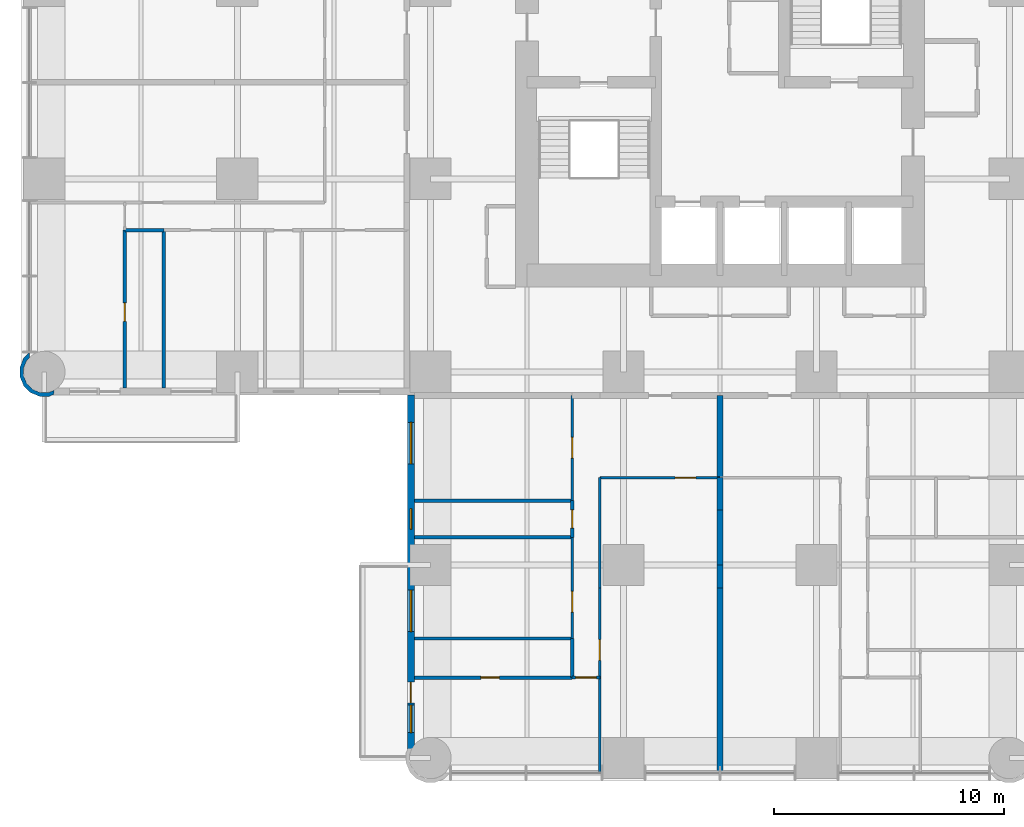
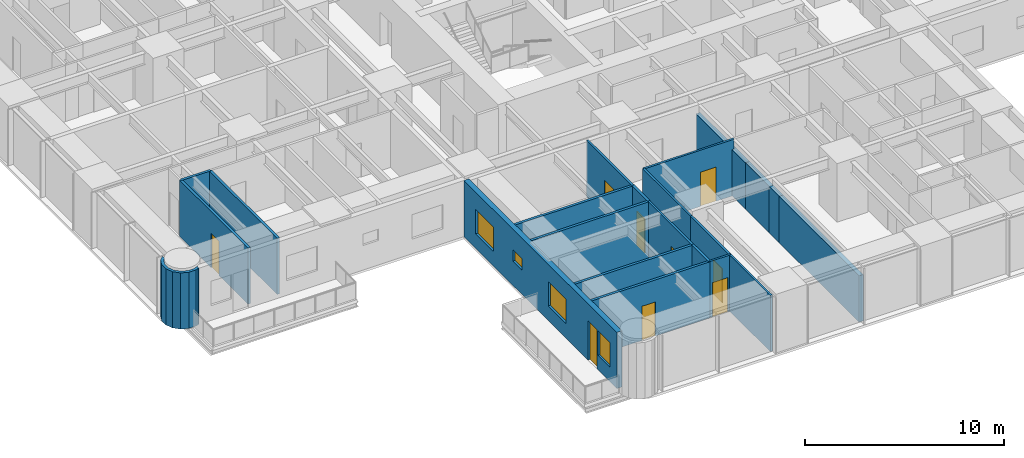
# One storey, part 7 of 17: 23 walls, 9 doors, 4 windows, 13 openings.
"""IFC4 building model written with IfcOpenShell, lengths in metres."""

from ifc_helpers import new_model, si_unit, direction, frame, frame_2d, origin, place, context, subcontext, project, spatial, polyline, rectangle, outline, extrude, material, layer, layer_set, type_object, element, fill, save


model = new_model("IFC4")

# Units and contexts
model_context = context("Model", 3, precision=1e-05, world=origin(), true_north=direction((0.0, 1.0)))
body_context = subcontext(model_context, "Body", "Model", "MODEL_VIEW")
ifc_project = project(units=[si_unit("LENGTHUNIT", "METRE"), si_unit("AREAUNIT", "SQUARE_METRE"), si_unit("VOLUMEUNIT", "CUBIC_METRE"), si_unit("PLANEANGLEUNIT", "RADIAN"), si_unit("MASSUNIT", "GRAM", prefix="KILO")], contexts=[model_context])

# Site, building, storey
site_placement = place(None, origin())
site = spatial("IfcSite", under=ifc_project, at=site_placement, CompositionType="ELEMENT")
building_placement = place(site_placement, origin())
building = spatial("IfcBuilding", under=site, at=building_placement, Name="Torre Alcanfor", CompositionType="ELEMENT")
storey_placement = place(building_placement, frame((0.0, 0.0, 56.10009765625)))
storey = spatial("IfcBuildingStorey", under=building, at=storey_placement, Name="L13", CompositionType="ELEMENT", Elevation=56.10009765625)

# Wall, opening, door
ifc_material_1 = material(Name="Gypsum board on steel studs", Category="steel")
ifc_layer_1 = layer(ifc_material_1, 0.1201171875)
ifc_layer_set_1 = layer_set([ifc_layer_1], Name="Apartment partition 120")
wall_type_1 = type_object("IfcWallType", Name="Apartment partition 120", PredefinedType="PARTITIONING", material=ifc_layer_set_1)
wall_1_placement = place(storey_placement, frame((29.39990234375, 12.199951171875, 0.0), z_axis=(0.0, 0.0, 1.0), x_axis=(-1.0, 0.0, 0.0)))
wall_1 = element("IfcWall", 1, at=wall_1_placement, inside=storey, type_object=wall_type_1, Name="Partition L13-S2-ZAG / L13-S2-KITCHEN", PredefinedType="PARTITIONING", context=body_context, shape_type="SweptSolid", body=[
    extrude(rectangle(XDim=5.22900390625, YDim=0.1201171875, at=frame_2d((2.614501953125, 0.0))), origin(), (0.0, 0.0, 1.0), 3.449951171875),
])
opening_1_placement = place(wall_1_placement, frame((1.050048828125, 0.0, 0.0)))
opening_1 = element("IfcOpeningElement", 2, at=opening_1_placement, cuts=wall_1, Name="Opening D-R1", PredefinedType="OPENING", context=body_context, shape_type="SweptSolid", body=[
    extrude(rectangle(XDim=0.89990234375, YDim=2.10009765625, at=frame_2d((0.449951171875, 1.050048828125))), frame((0.0, 0.070068359375, 0.0), z_axis=(0.0, -1.0, 0.0), x_axis=(1.0, 0.0, 0.0)), (0.0, 0.0, 1.0), 0.14013671875),
])
ifc_material_2 = material(Name="Timber", Category="wood")
door_type_1 = type_object("IfcDoorType", Name="Internal door 900x2100", OperationType="SINGLE_SWING_LEFT", PredefinedType="DOOR", material=ifc_material_2)
door_1_placement = place(opening_1_placement, origin())
door_1 = element("IfcDoor", 3, at=door_1_placement, inside=storey, type_object=door_type_1, Name="Door L13-S2 kitchen", OperationType="SINGLE_SWING_LEFT", OverallHeight=2.10009765625, OverallWidth=0.89990234375, PredefinedType="DOOR", context=body_context, shape_type="SweptSolid", body=[
    extrude(rectangle(XDim=0.89990234375, YDim=2.10009765625, at=frame_2d((0.449951171875, 1.050048828125))), frame((0.0, 0.02490234375, 0.0), z_axis=(0.0, -1.0, 0.0), x_axis=(1.0, 0.0, 0.0)), (0.0, 0.0, 1.0), 0.050048828125),
])
fill(opening_1, door_1)

# Wall
wall_2_placement = place(storey_placement, frame((24.1708984375, 7.39990234375, 0.0), z_axis=(0.0, 0.0, 1.0), x_axis=(0.0, 1.0, 0.0)))
element("IfcWall", 4, at=wall_2_placement, inside=storey, type_object=wall_type_1, Name="Partition L13-S2-KITCHEN / L13-S2-HALL", PredefinedType="PARTITIONING", context=body_context, shape_type="SweptSolid", body=[
    extrude(rectangle(XDim=4.800048828125, YDim=0.1201171875, at=frame_2d((2.39990234375, 0.0))), origin(), (0.0, 0.0, 1.0), 3.449951171875),
])

# Wall, opening, door
wall_3_placement = place(storey_placement, frame((24.1708984375, 3.5, 0.0), z_axis=(0.0, 0.0, 1.0), x_axis=(0.0, 1.0, 0.0)))
wall_3 = element("IfcWall", 5, at=wall_3_placement, inside=storey, type_object=wall_type_1, Name="Partition L13-S2-LIVING / L13-S2-HALL", PredefinedType="PARTITIONING", context=body_context, shape_type="SweptSolid", body=[
    extrude(rectangle(XDim=3.89990234375, YDim=0.1201171875, at=frame_2d((1.949951171875, 0.0))), origin(), (0.0, 0.0, 1.0), 3.449951171875),
])
opening_2_placement = place(wall_3_placement, frame((0.75, 0.0, 0.0)))
opening_2 = element("IfcOpeningElement", 6, at=opening_2_placement, cuts=wall_3, Name="Opening D-R1", PredefinedType="OPENING", context=body_context, shape_type="SweptSolid", body=[
    extrude(rectangle(XDim=0.89990234375, YDim=2.10009765625, at=frame_2d((0.449951171875, 1.050048828125))), frame((0.0, 0.070068359375, 0.0), z_axis=(0.0, -1.0, 0.0), x_axis=(1.0, 0.0, 0.0)), (0.0, 0.0, 1.0), 0.14013671875),
])
door_2_placement = place(opening_2_placement, frame((0.89990234375, 0.0, 0.0), z_axis=(0.0, 0.0, 1.0), x_axis=(-1.0, 0.0, 0.0)))
door_2 = element("IfcDoor", 7, at=door_2_placement, inside=storey, type_object=door_type_1, Name="Door L13-S2 living", OperationType="SINGLE_SWING_LEFT", OverallHeight=2.10009765625, OverallWidth=0.89990234375, PredefinedType="DOOR", context=body_context, shape_type="SweptSolid", body=[
    extrude(rectangle(XDim=0.89990234375, YDim=2.10009765625, at=frame_2d((0.449951171875, 1.050048828125))), frame((0.0, 0.025146484375, 0.0), z_axis=(0.0, -1.0, 0.0), x_axis=(1.0, 0.0, 0.0)), (0.0, 0.0, 1.0), 0.050048828125),
])
fill(opening_2, door_2)

# Wall
wall_4_placement = place(storey_placement, frame((24.1708984375, -0.64990234375, 0.0), z_axis=(0.0, 0.0, 1.0), x_axis=(0.0, 1.0, 0.0)))
element("IfcWall", 8, at=wall_4_placement, inside=storey, type_object=wall_type_1, Name="Partition L13-S2-LIVING / L13-S2-MASTER", PredefinedType="PARTITIONING", context=body_context, shape_type="SweptSolid", body=[
    extrude(rectangle(XDim=4.14990234375, YDim=0.1201171875, at=frame_2d((2.074951171875, 0.0))), origin(), (0.0, 0.0, 1.0), 3.449951171875),
])

# Wall, opening, door
wall_5_placement = place(storey_placement, frame((22.970947265625, 11.199951171875, 0.0), z_axis=(0.0, 0.0, 1.0), x_axis=(0.0, 1.0, 0.0)))
wall_5 = element("IfcWall", 9, at=wall_5_placement, inside=storey, type_object=wall_type_1, Name="Partition L13-S2-HALL / L13-S2-BED3", PredefinedType="PARTITIONING", context=body_context, shape_type="SweptSolid", body=[
    extrude(rectangle(XDim=4.574951171875, YDim=0.1201171875, at=frame_2d((2.28759765625, 0.0))), origin(), (0.0, 0.0, 1.0), 3.449951171875),
])
opening_3_placement = place(wall_5_placement, frame((1.85009765625, 0.0, 0.0)))
opening_3 = element("IfcOpeningElement", 10, at=opening_3_placement, cuts=wall_5, Name="Opening D-R1", PredefinedType="OPENING", context=body_context, shape_type="SweptSolid", body=[
    extrude(rectangle(XDim=0.89990234375, YDim=2.10009765625, at=frame_2d((0.449951171875, 1.050048828125))), frame((0.0, 0.070068359375, 0.0), z_axis=(0.0, -1.0, 0.0), x_axis=(1.0, 0.0, 0.0)), (0.0, 0.0, 1.0), 0.14013671875),
])
door_3_placement = place(opening_3_placement, origin())
door_3 = element("IfcDoor", 11, at=door_3_placement, inside=storey, type_object=door_type_1, Name="Door L13-S2 bed3", OperationType="SINGLE_SWING_RIGHT", OverallHeight=2.10009765625, OverallWidth=0.89990234375, PredefinedType="DOOR", context=body_context, shape_type="SweptSolid", body=[
    extrude(rectangle(XDim=0.89990234375, YDim=2.10009765625, at=frame_2d((0.449951171875, 1.050048828125))), frame((0.0, 0.02490234375, 0.0), z_axis=(0.0, -1.0, 0.0), x_axis=(1.0, 0.0, 0.0)), (0.0, 0.0, 1.0), 0.050048828125),
])
fill(opening_3, door_3)

wall_6_placement = place(storey_placement, frame((22.970947265625, 5.199951171875, 0.0), z_axis=(0.0, 0.0, 1.0), x_axis=(0.0, 1.0, 0.0)))
wall_6 = element("IfcWall", 12, at=wall_6_placement, inside=storey, type_object=wall_type_1, Name="Partition L13-S2-HALL / L13-S2-BED2", PredefinedType="PARTITIONING", context=body_context, shape_type="SweptSolid", body=[
    extrude(rectangle(XDim=4.400146484375, YDim=0.1201171875, at=frame_2d((2.2001953125, 0.0))), origin(), (0.0, 0.0, 1.0), 3.449951171875),
])
opening_4_placement = place(wall_6_placement, frame((1.14990234375, 0.0, 0.0)))
opening_4 = element("IfcOpeningElement", 13, at=opening_4_placement, cuts=wall_6, Name="Opening D-R1", PredefinedType="OPENING", context=body_context, shape_type="SweptSolid", body=[
    extrude(rectangle(XDim=0.89990234375, YDim=2.10009765625, at=frame_2d((0.449951171875, 1.050048828125))), frame((0.0, 0.070068359375, 0.0), z_axis=(0.0, -1.0, 0.0), x_axis=(1.0, 0.0, 0.0)), (0.0, 0.0, 1.0), 0.14013671875),
])
door_4_placement = place(opening_4_placement, origin())
door_4 = element("IfcDoor", 14, at=door_4_placement, inside=storey, type_object=door_type_1, Name="Door L13-S2 bed2", OperationType="SINGLE_SWING_LEFT", OverallHeight=2.10009765625, OverallWidth=0.89990234375, PredefinedType="DOOR", context=body_context, shape_type="SweptSolid", body=[
    extrude(rectangle(XDim=0.89990234375, YDim=2.10009765625, at=frame_2d((0.449951171875, 1.050048828125))), frame((0.0, 0.02490234375, 0.0), z_axis=(0.0, -1.0, 0.0), x_axis=(1.0, 0.0, 0.0)), (0.0, 0.0, 1.0), 0.050048828125),
])
fill(opening_4, door_4)

wall_7_placement = place(storey_placement, frame((24.1708984375, 3.5, 0.0), z_axis=(0.0, 0.0, 1.0), x_axis=(-1.0, 0.0, 0.0)))
wall_7 = element("IfcWall", 15, at=wall_7_placement, inside=storey, type_object=wall_type_1, Name="Partition L13-S2-HALL / L13-S2-MASTER", PredefinedType="PARTITIONING", context=body_context, shape_type="SweptSolid", body=[
    extrude(rectangle(XDim=1.199951171875, YDim=0.1201171875, at=frame_2d((0.60009765625, 0.0))), origin(), (0.0, 0.0, 1.0), 3.449951171875),
])
opening_5_placement = place(wall_7_placement, frame((0.15087890625, 0.0, 0.0)))
opening_5 = element("IfcOpeningElement", 16, at=opening_5_placement, cuts=wall_7, Name="Opening D-R1", PredefinedType="OPENING", context=body_context, shape_type="SweptSolid", body=[
    extrude(rectangle(XDim=0.89990234375, YDim=2.10009765625, at=frame_2d((0.449951171875, 1.050048828125))), frame((0.0, 0.070068359375, 0.0), z_axis=(0.0, -1.0, 0.0), x_axis=(1.0, 0.0, 0.0)), (0.0, 0.0, 1.0), 0.14013671875),
])
door_5_placement = place(opening_5_placement, origin())
door_5 = element("IfcDoor", 17, at=door_5_placement, inside=storey, type_object=door_type_1, Name="Door L13-S2 master", OperationType="SINGLE_SWING_LEFT", OverallHeight=2.10009765625, OverallWidth=0.89990234375, PredefinedType="DOOR", context=body_context, shape_type="SweptSolid", body=[
    extrude(rectangle(XDim=0.89990234375, YDim=2.10009765625, at=frame_2d((0.449951171875, 1.050048828125))), frame((0.0, 0.02490234375, 0.0), z_axis=(0.0, -1.0, 0.0), x_axis=(1.0, 0.0, 0.0)), (0.0, 0.0, 1.0), 0.050048828125),
])
fill(opening_5, door_5)

# Wall, openings, door, windows
ifc_material_3 = material(Name="Limestone cladding", Category="masonry")
ifc_layer_2 = layer(ifc_material_3, 0.0400390625, Name="Facing")
ifc_material_4 = material(Name="Ventilated air cavity")
ifc_layer_3 = layer(ifc_material_4, 0.02001953125, ventilated=True, Name="Ventilated joint")
ifc_material_5 = material(Name="Mineral wool insulation", Category="insulation")
ifc_layer_4 = layer(ifc_material_5, 0.10009765625, Name="Insulation")
ifc_material_6 = material(Name="Concrete f'c 35 MPa", Category="concrete")
ifc_layer_5 = layer(ifc_material_6, 0.139892578125, Name="Backing")
ifc_layer_set_2 = layer_set([ifc_layer_2, ifc_layer_3, ifc_layer_4, ifc_layer_5], Name="External wall stone-clad 300")
wall_type_2 = type_object("IfcWallType", Name="External wall stone-clad 300", PredefinedType="SOLIDWALL", material=ifc_layer_set_2)
wall_8_placement = place(storey_placement, frame((15.949951171875, 15.800048828125, 0.0), z_axis=(0.0, 0.0, 1.0), x_axis=(0.0, -1.0, 0.0)))
wall_8 = element("IfcWall", 18, at=wall_8_placement, inside=storey, type_object=wall_type_2, Name="External wall L13 4", PredefinedType="SOLIDWALL", context=body_context, shape_type="SweptSolid", body=[
    extrude(rectangle(XDim=15.400146484375, YDim=0.300048828125, at=frame_2d((7.7001953125, 0.0))), origin(), (0.0, 0.0, 1.0), 3.449951171875),
])
opening_6_placement = place(wall_8_placement, frame((1.199951171875, 0.0, 0.89990234375)))
opening_6 = element("IfcOpeningElement", 19, at=opening_6_placement, cuts=wall_8, Name="Opening W2", PredefinedType="OPENING", context=body_context, shape_type="SweptSolid", body=[
    extrude(rectangle(XDim=1.800048828125, YDim=1.5, at=frame_2d((0.89990234375, 0.75))), frame((0.0, 0.159912109375, 0.0), z_axis=(0.0, -1.0, 0.0), x_axis=(1.0, 0.0, 0.0)), (0.0, 0.0, 1.0), 0.320068359375),
])
opening_7_placement = place(wall_8_placement, frame((4.949951171875, 0.0, 1.5)))
opening_7 = element("IfcOpeningElement", 20, at=opening_7_placement, cuts=wall_8, Name="Opening W3", PredefinedType="OPENING", context=body_context, shape_type="SweptSolid", body=[
    extrude(rectangle(XDim=0.89990234375, YDim=0.699951171875, at=frame_2d((0.449951171875, 0.35009765625))), frame((0.0, 0.159912109375, 0.0), z_axis=(0.0, -1.0, 0.0), x_axis=(1.0, 0.0, 0.0)), (0.0, 0.0, 1.0), 0.320068359375),
])
opening_8_placement = place(wall_8_placement, frame((8.5, 0.0, 0.89990234375)))
opening_8 = element("IfcOpeningElement", 21, at=opening_8_placement, cuts=wall_8, Name="Opening W2", PredefinedType="OPENING", context=body_context, shape_type="SweptSolid", body=[
    extrude(rectangle(XDim=1.800048828125, YDim=1.5, at=frame_2d((0.89990234375, 0.75))), frame((0.0, 0.159912109375, 0.0), z_axis=(0.0, -1.0, 0.0), x_axis=(1.0, 0.0, 0.0)), (0.0, 0.0, 1.0), 0.320068359375),
])
opening_9_placement = place(wall_8_placement, frame((12.5, 0.0, 0.0)))
opening_9 = element("IfcOpeningElement", 22, at=opening_9_placement, cuts=wall_8, Name="Opening D-B1", PredefinedType="OPENING", context=body_context, shape_type="SweptSolid", body=[
    extrude(rectangle(XDim=0.89990234375, YDim=2.39990234375, at=frame_2d((0.449951171875, 1.199951171875))), frame((0.0, 0.159912109375, 0.0), z_axis=(0.0, -1.0, 0.0), x_axis=(1.0, 0.0, 0.0)), (0.0, 0.0, 1.0), 0.320068359375),
])
opening_10_placement = place(wall_8_placement, frame((13.5, 0.0, 0.89990234375)))
opening_10 = element("IfcOpeningElement", 23, at=opening_10_placement, cuts=wall_8, Name="Opening W4", PredefinedType="OPENING", context=body_context, shape_type="SweptSolid", body=[
    extrude(rectangle(XDim=1.199951171875, YDim=1.5, at=frame_2d((0.60009765625, 0.75))), frame((0.0, 0.159912109375, 0.0), z_axis=(0.0, -1.0, 0.0), x_axis=(1.0, 0.0, 0.0)), (0.0, 0.0, 1.0), 0.320068359375),
])
ifc_material_7 = material(Name="Aluminium and glass", Category="aluminium")
door_type_2 = type_object("IfcDoorType", Name="Balcony door glazed 900x2400", OperationType="SINGLE_SWING_LEFT", PredefinedType="DOOR", material=ifc_material_7)
door_6_placement = place(opening_9_placement, origin())
door_6 = element("IfcDoor", 24, at=door_6_placement, inside=storey, type_object=door_type_2, Name="Balcony door L13-S2", OperationType="SINGLE_SWING_LEFT", OverallHeight=2.39990234375, OverallWidth=0.89990234375, PredefinedType="DOOR", context=body_context, shape_type="SweptSolid", body=[
    extrude(rectangle(XDim=0.89990234375, YDim=2.39990234375, at=frame_2d((0.449951171875, 1.199951171875))), frame((0.0, 0.02490234375, 0.0), z_axis=(0.0, -1.0, 0.0), x_axis=(1.0, 0.0, 0.0)), (0.0, 0.0, 1.0), 0.050048828125),
])
fill(opening_9, door_6)
ifc_material_8 = material(Name="Aluminium frame with clear double glazing", Category="aluminium")
window_type_1 = type_object("IfcWindowType", Name="Window bathroom 900x700", PartitioningType="SINGLE_PANEL", PredefinedType="WINDOW", material=ifc_material_8)
window_1_placement = place(opening_7_placement, origin())
window_1 = element("IfcWindow", 25, at=window_1_placement, inside=storey, type_object=window_type_1, Name="Window W3 L13-S2", OverallHeight=0.699951171875, OverallWidth=0.89990234375, PartitioningType="SINGLE_PANEL", PredefinedType="WINDOW", context=body_context, shape_type="SweptSolid", body=[
    extrude(rectangle(XDim=0.89990234375, YDim=0.699951171875, at=frame_2d((0.449951171875, 0.35009765625))), frame((0.0, 0.030029296875, 0.0), z_axis=(0.0, -1.0, 0.0), x_axis=(1.0, 0.0, 0.0)), (0.0, 0.0, 1.0), 0.06005859375),
])
fill(opening_7, window_1)
ifc_material_9 = material(Name="Aluminium frame with clear double glazing", Category="aluminium")
window_type_2 = type_object("IfcWindowType", Name="Window bedroom 1200x1500", PartitioningType="SINGLE_PANEL", PredefinedType="WINDOW", material=ifc_material_9)
window_2_placement = place(opening_10_placement, origin())
window_2 = element("IfcWindow", 26, at=window_2_placement, inside=storey, type_object=window_type_2, Name="Window W4 L13-S2", OverallHeight=1.5, OverallWidth=1.199951171875, PartitioningType="SINGLE_PANEL", PredefinedType="WINDOW", context=body_context, shape_type="SweptSolid", body=[
    extrude(rectangle(XDim=1.199951171875, YDim=1.5, at=frame_2d((0.60009765625, 0.75))), frame((0.0, 0.030029296875, 0.0), z_axis=(0.0, -1.0, 0.0), x_axis=(1.0, 0.0, 0.0)), (0.0, 0.0, 1.0), 0.06005859375),
])
fill(opening_10, window_2)
ifc_material_10 = material(Name="Aluminium frame with clear double glazing", Category="aluminium")
window_type_3 = type_object("IfcWindowType", Name="Window bedroom 1800x1500", PartitioningType="SINGLE_PANEL", PredefinedType="WINDOW", material=ifc_material_10)
window_3_placement = place(opening_6_placement, origin())
window_3 = element("IfcWindow", 27, at=window_3_placement, inside=storey, type_object=window_type_3, Name="Window W2 L13-S2", OverallHeight=1.5, OverallWidth=1.800048828125, PartitioningType="SINGLE_PANEL", PredefinedType="WINDOW", context=body_context, shape_type="SweptSolid", body=[
    extrude(rectangle(XDim=1.800048828125, YDim=1.5, at=frame_2d((0.89990234375, 0.75))), frame((0.0, 0.030029296875, 0.0), z_axis=(0.0, -1.0, 0.0), x_axis=(1.0, 0.0, 0.0)), (0.0, 0.0, 1.0), 0.06005859375),
])
fill(opening_6, window_3)
window_4_placement = place(opening_8_placement, origin())
window_4 = element("IfcWindow", 28, at=window_4_placement, inside=storey, type_object=window_type_3, Name="Window W2 L13-S2", OverallHeight=1.5, OverallWidth=1.800048828125, PartitioningType="SINGLE_PANEL", PredefinedType="WINDOW", context=body_context, shape_type="SweptSolid", body=[
    extrude(rectangle(XDim=1.800048828125, YDim=1.5, at=frame_2d((0.89990234375, 0.75))), frame((0.0, 0.030029296875, 0.0), z_axis=(0.0, -1.0, 0.0), x_axis=(1.0, 0.0, 0.0)), (0.0, 0.0, 1.0), 0.06005859375),
])
fill(opening_8, window_4)

# Walls
ifc_material_11 = material(Name="Concrete block masonry, hollow blocks NMX-C-404 9 MPa", Category="masonry")
ifc_layer_6 = layer(ifc_material_11, 0.25)
ifc_layer_set_3 = layer_set([ifc_layer_6], Name="Party wall 250 EI 60")
wall_type_3 = type_object("IfcWallType", Name="Party wall 250 EI 60", PredefinedType="PARTITIONING", material=ifc_layer_set_3)
wall_9_placement = place(storey_placement, frame((29.39990234375, 15.77490234375, 0.0), z_axis=(0.0, 0.0, 1.0), x_axis=(0.0, -1.0, 0.0)))
element("IfcWall", 29, at=wall_9_placement, inside=storey, type_object=wall_type_3, Name="Partition L13-S1-ZAG / L13-S2-ZAG", PredefinedType="PARTITIONING", context=body_context, shape_type="SweptSolid", body=[
    extrude(rectangle(XDim=3.574951171875, YDim=0.25, at=frame_2d((1.78759765625, 0.0))), origin(), (0.0, 0.0, 1.0), 2.847900390625),
])
wall_10_placement = place(storey_placement, frame((29.39990234375, 12.199951171875, 0.0), z_axis=(0.0, 0.0, 1.0), x_axis=(0.0, -1.0, 0.0)))
element("IfcWall", 30, at=wall_10_placement, inside=storey, type_object=wall_type_3, Name="Partition L13-S1-LAUND / L13-S2-KITCHEN", PredefinedType="PARTITIONING", context=body_context, shape_type="SweptSolid", body=[
    extrude(rectangle(XDim=1.39990234375, YDim=0.25, at=frame_2d((0.699951171875, 0.0))), origin(), (0.0, 0.0, 1.0), 2.847900390625),
])
wall_11_placement = place(storey_placement, frame((29.39990234375, 10.800048828125, 0.0), z_axis=(0.0, 0.0, 1.0), x_axis=(0.0, -1.0, 0.0)))
element("IfcWall", 31, at=wall_11_placement, inside=storey, type_object=wall_type_3, Name="Partition L13-S1-KITCHEN / L13-S2-KITCHEN", PredefinedType="PARTITIONING", context=body_context, shape_type="SweptSolid", body=[
    extrude(rectangle(XDim=2.400146484375, YDim=0.25, at=frame_2d((1.2001953125, 0.0))), origin(), (0.0, 0.0, 1.0), 2.847900390625),
])
wall_12_placement = place(storey_placement, frame((29.39990234375, 8.39990234375, 0.0), z_axis=(0.0, 0.0, 1.0), x_axis=(0.0, -1.0, 0.0)))
element("IfcWall", 32, at=wall_12_placement, inside=storey, type_object=wall_type_3, Name="Partition L13-S1-LIVING / L13-S2-KITCHEN", PredefinedType="PARTITIONING", context=body_context, shape_type="SweptSolid", body=[
    extrude(rectangle(XDim=1.0, YDim=0.25, at=frame_2d((0.5, 0.0))), origin(), (0.0, 0.0, 1.0), 2.847900390625),
])
wall_13_placement = place(storey_placement, frame((29.39990234375, 7.39990234375, 0.0), z_axis=(0.0, 0.0, 1.0), x_axis=(0.0, -1.0, 0.0)))
element("IfcWall", 33, at=wall_13_placement, inside=storey, type_object=wall_type_3, Name="Partition L13-S1-LIVING / L13-S2-LIVING", PredefinedType="PARTITIONING", context=body_context, shape_type="SweptSolid", body=[
    extrude(rectangle(XDim=8.0498046875, YDim=0.25, at=frame_2d((4.02490234375, 0.0))), origin(), (0.0, 0.0, 1.0), 2.847900390625),
])
ifc_layer_7 = layer(ifc_material_3, 0.0400390625, Name="Facing")
ifc_layer_8 = layer(ifc_material_4, 0.02001953125, ventilated=True, Name="Ventilated joint")
ifc_layer_9 = layer(ifc_material_5, 0.10009765625, Name="Insulation")
ifc_layer_10 = layer(ifc_material_6, 0.139892578125, Name="Backing")
ifc_layer_set_4 = layer_set([ifc_layer_7, ifc_layer_8, ifc_layer_9, ifc_layer_10], Name="Rounded corner pier stone-clad 300")
wall_type_4 = type_object("IfcWallType", Name="Rounded corner pier stone-clad 300", PredefinedType="SOLIDWALL", material=ifc_layer_set_4)
wall_14_placement = place(storey_placement, frame((-0.610519256, 17.56659392, 0.0), z_axis=(0.0, 0.0, 1.0), x_axis=(-0.926129809145, -0.377204953059, 0.0)))
element("IfcWall", 34, at=wall_14_placement, inside=storey, type_object=wall_type_4, Name="Corner pier L13 14", PredefinedType="SOLIDWALL", context=body_context, shape_type="SweptSolid", body=[
    extrude(outline(polyline([(-0.2694320048751383, 2.0171861008885523), (-0.3700526678318482, 1.8406866495551875), (-0.10232913830325796, 1.8423628952563784), (0.22959433821660935, 1.7071732294627), (0.4846648868960458, 1.4551341488862783), (0.6237723089217844, 1.1248457008471362), (0.6256501657648526, 0.7663568996565957), (0.49046049997117414, 0.4344334231367283), (0.2387396163581813, 0.17949688931473468), (0.09014163443691028, 0.11691195088889664), (0.010851237809964043, -0.07776523799639344), (0.024417592436116662, -0.08329070117597158), (0.32956848036437986, 0.045229547111777235), (0.4801338191951393, 0.19743274075920003), (0.4990091877024963, 0.1926447125875501), (0.5075557555746872, 0.2252788612711387), (0.6260018077392729, 0.3452223941390844), (0.7850430562581303, 0.7357073014618439), (0.782472278983801, 1.15721841463542), (0.6187061231885674, 1.5460551039454697), (0.3187132761612602, 1.8424884313203629), (-0.07154552525106339, 2.0014375887862275), (-0.2401131340992967, 2.00049972024067), (-0.2694320048751383, 2.0171861008885523)])), origin(), (0.0, 0.0, 1.0), 3.449951171875),
])

# Wall, opening, door
ifc_material_12 = material(Name="Cement board on steel studs", Category="steel")
ifc_layer_11 = layer(ifc_material_12, 0.14990234375)
ifc_layer_set_5 = layer_set([ifc_layer_11], Name="Wet area partition 150")
wall_type_5 = type_object("IfcWallType", Name="Wet area partition 150", PredefinedType="PARTITIONING", material=ifc_layer_set_5)
wall_15_placement = place(storey_placement, frame((22.970947265625, 9.60009765625, 0.0), z_axis=(0.0, 0.0, 1.0), x_axis=(0.0, 1.0, 0.0)))
wall_15 = element("IfcWall", 35, at=wall_15_placement, inside=storey, type_object=wall_type_5, Name="Partition L13-S2-HALL / L13-S2-BATH1", PredefinedType="PARTITIONING", context=body_context, shape_type="SweptSolid", body=[
    extrude(rectangle(XDim=1.599853515625, YDim=0.14990234375, at=frame_2d((0.7998046875, 0.0))), origin(), (0.0, 0.0, 1.0), 3.449951171875),
])
opening_11_placement = place(wall_15_placement, frame((0.39990234375, 0.0, 0.0)))
opening_11 = element("IfcOpeningElement", 36, at=opening_11_placement, cuts=wall_15, Name="Opening D-R2", PredefinedType="OPENING", context=body_context, shape_type="SweptSolid", body=[
    extrude(rectangle(XDim=0.800048828125, YDim=2.10009765625, at=frame_2d((0.39990234375, 1.050048828125))), frame((0.0, 0.0849609375, 0.0), z_axis=(0.0, -1.0, 0.0), x_axis=(1.0, 0.0, 0.0)), (0.0, 0.0, 1.0), 0.169921875),
])
ifc_material_13 = material(Name="Timber", Category="wood")
door_type_3 = type_object("IfcDoorType", Name="Bathroom door 800x2100", OperationType="SINGLE_SWING_LEFT", PredefinedType="DOOR", material=ifc_material_13)
door_7_placement = place(opening_11_placement, origin())
door_7 = element("IfcDoor", 37, at=door_7_placement, inside=storey, type_object=door_type_3, Name="Door L13-S2 bath1", OperationType="SINGLE_SWING_LEFT", OverallHeight=2.10009765625, OverallWidth=0.800048828125, PredefinedType="DOOR", context=body_context, shape_type="SweptSolid", body=[
    extrude(rectangle(XDim=0.800048828125, YDim=2.10009765625, at=frame_2d((0.39990234375, 1.050048828125))), frame((0.0, 0.02490234375, 0.0), z_axis=(0.0, -1.0, 0.0), x_axis=(1.0, 0.0, 0.0)), (0.0, 0.0, 1.0), 0.050048828125),
])
fill(opening_11, door_7)

# Walls
wall_16_placement = place(storey_placement, frame((22.970947265625, 3.5, 0.0), z_axis=(0.0, 0.0, 1.0), x_axis=(0.0, 1.0, 0.0)))
element("IfcWall", 38, at=wall_16_placement, inside=storey, type_object=wall_type_5, Name="Partition L13-S2-HALL / L13-S2-ENSBATH", PredefinedType="PARTITIONING", context=body_context, shape_type="SweptSolid", body=[
    extrude(rectangle(XDim=1.699951171875, YDim=0.14990234375, at=frame_2d((0.85009765625, 0.0))), origin(), (0.0, 0.0, 1.0), 3.449951171875),
])
for number, where, z_axis, x_axis, name in (
    (39, (22.970947265625, 11.199951171875, 0.0), (0.0, 0.0, 1.0), (-1.0, 0.0, 0.0), "Partition L13-S2-BED3 / L13-S2-BATH1"),
    (40, (22.970947265625, 9.60009765625, 0.0), (0.0, 0.0, 1.0), (-1.0, 0.0, 0.0), "Partition L13-S2-BATH1 / L13-S2-BED2"),
    (41, (22.970947265625, 5.199951171875, 0.0), (0.0, 0.0, 1.0), (-1.0, 0.0, 0.0), "Partition L13-S2-BED2 / L13-S2-ENSBATH"),
):
    element("IfcWall", number, at=place(storey_placement, frame(where, z_axis=z_axis, x_axis=x_axis)), inside=storey, type_object=wall_type_5, Name=name, PredefinedType="PARTITIONING", context=body_context, shape_type="SweptSolid", body=[
        extrude(rectangle(XDim=6.870849609375, YDim=0.14990234375, at=frame_2d((3.435546875, 0.0))), origin(), (0.0, 0.0, 1.0), 3.449951171875),
    ])

# Wall, opening, door
wall_17_placement = place(storey_placement, frame((22.970947265625, 3.5, 0.0), z_axis=(0.0, 0.0, 1.0), x_axis=(-1.0, 0.0, 0.0)))
wall_17 = element("IfcWall", 42, at=wall_17_placement, inside=storey, type_object=wall_type_5, Name="Partition L13-S2-ENSBATH / L13-S2-MASTER", PredefinedType="PARTITIONING", context=body_context, shape_type="SweptSolid", body=[
    extrude(rectangle(XDim=6.870849609375, YDim=0.14990234375, at=frame_2d((3.435546875, 0.0))), origin(), (0.0, 0.0, 1.0), 3.449951171875),
])
opening_12_placement = place(wall_17_placement, frame((3.1708984375, 0.0, 0.0)))
opening_12 = element("IfcOpeningElement", 43, at=opening_12_placement, cuts=wall_17, Name="Opening D-R2", PredefinedType="OPENING", context=body_context, shape_type="SweptSolid", body=[
    extrude(rectangle(XDim=0.800048828125, YDim=2.10009765625, at=frame_2d((0.39990234375, 1.050048828125))), frame((0.0, 0.0849609375, 0.0), z_axis=(0.0, -1.0, 0.0), x_axis=(1.0, 0.0, 0.0)), (0.0, 0.0, 1.0), 0.169921875),
])
door_8_placement = place(opening_12_placement, frame((0.800048828125, 0.0, 0.0), z_axis=(0.0, 0.0, 1.0), x_axis=(-1.0, 0.0, 0.0)))
door_8 = element("IfcDoor", 44, at=door_8_placement, inside=storey, type_object=door_type_3, Name="Door L13-S2 ensbath", OperationType="SINGLE_SWING_LEFT", OverallHeight=2.10009765625, OverallWidth=0.800048828125, PredefinedType="DOOR", context=body_context, shape_type="SweptSolid", body=[
    extrude(rectangle(XDim=0.800048828125, YDim=2.10009765625, at=frame_2d((0.400146484375, 1.050048828125))), frame((0.0, 0.025146484375, 0.0), z_axis=(0.0, -1.0, 0.0), x_axis=(1.0, 0.0, 0.0)), (0.0, 0.0, 1.0), 0.050048828125),
])
fill(opening_12, door_8)

# Walls
wall_18_placement = place(storey_placement, frame((3.5, 22.970947265625, 0.0), z_axis=(0.0, 0.0, 1.0), x_axis=(1.0, 0.0, 0.0)))
element("IfcWall", 45, at=wall_18_placement, inside=storey, type_object=wall_type_5, Name="Partition L13-W1-HALL / L13-W1-ENSBATH", PredefinedType="PARTITIONING", context=body_context, shape_type="SweptSolid", body=[
    extrude(rectangle(XDim=1.699951171875, YDim=0.14990234375, at=frame_2d((0.85009765625, 0.0))), origin(), (0.0, 0.0, 1.0), 3.449951171875),
])
wall_19_placement = place(storey_placement, frame((5.199951171875, 22.970947265625, 0.0), z_axis=(0.0, 0.0, 1.0), x_axis=(0.0, -1.0, 0.0)))
element("IfcWall", 46, at=wall_19_placement, inside=storey, type_object=wall_type_5, Name="Partition L13-W1-BED2 / L13-W1-ENSBATH", PredefinedType="PARTITIONING", context=body_context, shape_type="SweptSolid", body=[
    extrude(rectangle(XDim=6.870849609375, YDim=0.14990234375, at=frame_2d((3.435546875, 0.0))), origin(), (0.0, 0.0, 1.0), 3.449951171875),
])

# Wall, opening, door
wall_20_placement = place(storey_placement, frame((3.5, 22.970947265625, 0.0), z_axis=(0.0, 0.0, 1.0), x_axis=(0.0, -1.0, 0.0)))
wall_20 = element("IfcWall", 47, at=wall_20_placement, inside=storey, type_object=wall_type_5, Name="Partition L13-W1-ENSBATH / L13-W1-MASTER", PredefinedType="PARTITIONING", context=body_context, shape_type="SweptSolid", body=[
    extrude(rectangle(XDim=6.870849609375, YDim=0.14990234375, at=frame_2d((3.435546875, 0.0))), origin(), (0.0, 0.0, 1.0), 3.449951171875),
])
opening_13_placement = place(wall_20_placement, frame((3.1708984375, 0.0, 0.0)))
opening_13 = element("IfcOpeningElement", 48, at=opening_13_placement, cuts=wall_20, Name="Opening D-R2", PredefinedType="OPENING", context=body_context, shape_type="SweptSolid", body=[
    extrude(rectangle(XDim=0.800048828125, YDim=2.10009765625, at=frame_2d((0.39990234375, 1.050048828125))), frame((0.0, 0.0849609375, 0.0), z_axis=(0.0, -1.0, 0.0), x_axis=(1.0, 0.0, 0.0)), (0.0, 0.0, 1.0), 0.169921875),
])
door_9_placement = place(opening_13_placement, origin())
door_9 = element("IfcDoor", 49, at=door_9_placement, inside=storey, type_object=door_type_3, Name="Door L13-W1 ensbath", OperationType="SINGLE_SWING_RIGHT", OverallHeight=2.10009765625, OverallWidth=0.800048828125, PredefinedType="DOOR", context=body_context, shape_type="SweptSolid", body=[
    extrude(rectangle(XDim=0.800048828125, YDim=2.10009765625, at=frame_2d((0.39990234375, 1.050048828125))), frame((0.0, 0.02490234375, 0.0), z_axis=(0.0, -1.0, 0.0), x_axis=(1.0, 0.0, 0.0)), (0.0, 0.0, 1.0), 0.050048828125),
])
fill(opening_13, door_9)

save(model, "model.ifc")
